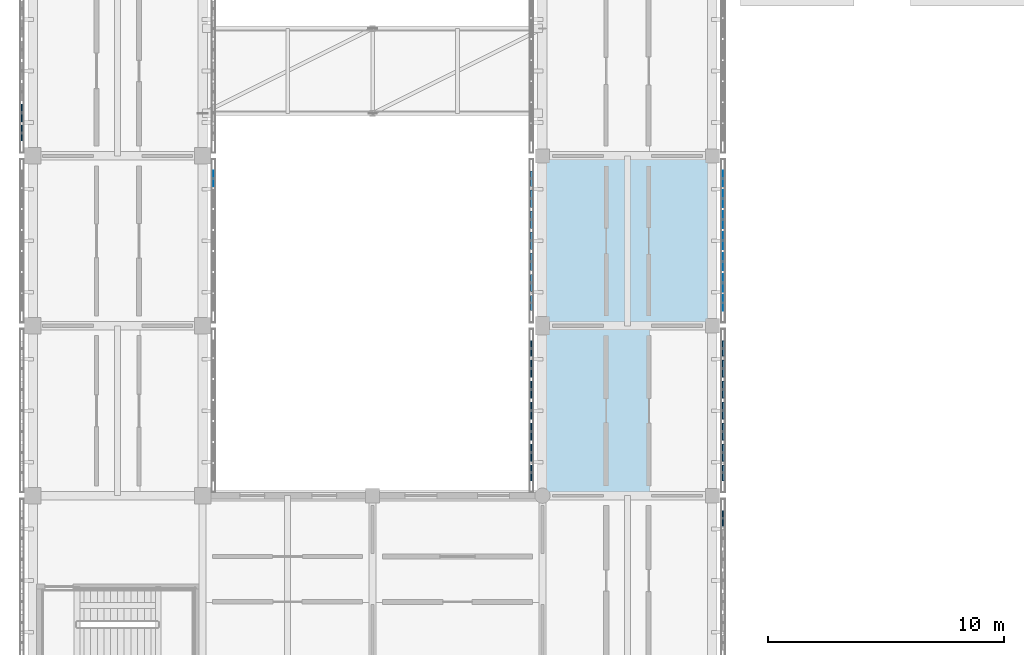
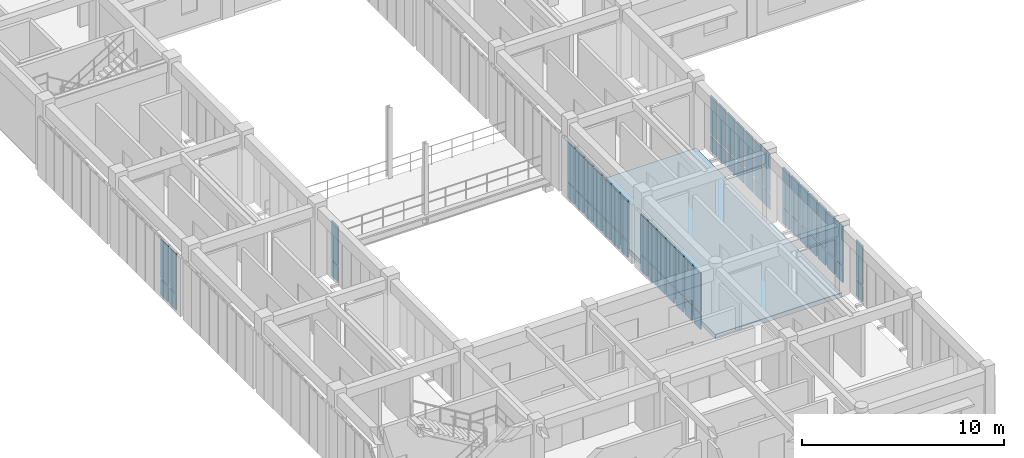
# One storey, part 98 of 171: 64 plates, 1 slab, 7 elements without a shape of their own.
"""IFC4 building model written with IfcOpenShell, lengths in metres."""

from ifc_helpers import new_model, si_unit, direction, frame, origin, origin_2d, place, context, subcontext, project, spatial, polyline, rectangle, outline, extrude, material, layer, layer_set, type_object, element, aggregate, save


model = new_model("IFC4")

# Units and contexts
model_context = context("Model", 3, precision=1e-05, world=origin(), true_north=direction((0.0, 1.0)))
body_context = subcontext(model_context, "Body", "Model", "MODEL_VIEW")
ifc_project = project(units=[si_unit("LENGTHUNIT", "METRE"), si_unit("AREAUNIT", "SQUARE_METRE"), si_unit("VOLUMEUNIT", "CUBIC_METRE"), si_unit("PLANEANGLEUNIT", "RADIAN"), si_unit("MASSUNIT", "GRAM", prefix="KILO")], contexts=[model_context])

# Site, building, storey
site_placement = place(None, origin())
site = spatial("IfcSite", under=ifc_project, at=site_placement, CompositionType="ELEMENT")
building_placement = place(site_placement, origin())
building = spatial("IfcBuilding", under=site, at=building_placement, Name="Aldebral Square Health Centre", CompositionType="ELEMENT")
storey_placement = place(building_placement, frame((0.0, 0.0, 4.5)))
storey = spatial("IfcBuildingStorey", under=building, at=storey_placement, Name="L01", CompositionType="ELEMENT", Elevation=4.5)

# Curtain wall, plates
ifc_material_1 = material(Name="Aluminium and low-E solar glass", Category="aluminium")
curtain_wall_type = type_object("IfcCurtainWallType", Name="CW-FIN-SYS", PredefinedType="USERDEFINED", material=ifc_material_1)
curtain_wall_1_placement = place(storey_placement, origin())
curtain_wall_1 = element("IfcCurtainWall", 1, at=curtain_wall_1_placement, inside=storey, type_object=curtain_wall_type, Name="L01 V4 finned curtain wall L01-V4-03-10-E", ObjectType="SOLAR_CURTAIN_WALL", PredefinedType="USERDEFINED")
ifc_material_2 = material(Name="Solar-control low-E double glass", Category="glass")
ifc_layer_1 = layer(ifc_material_2, 0.02001953125, Name="Solar-control low-E double glass", Category="glass")
ifc_layer_set_1 = layer_set([ifc_layer_1], Name="Solar-control low-E double glass")
plate_type_1 = type_object("IfcPlateType", Name="CWP-GLZ-1", PredefinedType="CURTAIN_PANEL", material=ifc_layer_set_1)
plate_1_placement = place(storey_placement, frame((29.260009765625, 72.9658203125, 0.074951171875), z_axis=(0.0, 0.0, 1.0), x_axis=(0.0, 1.0, 0.0)))
plate_1 = element("IfcPlate", 2, at=plate_1_placement, type_object=plate_type_1, Name="CW1 panel 1.1", PredefinedType="CURTAIN_PANEL", context=body_context, shape_type="SweptSolid", body=[
    extrude(rectangle(XDim=0.6513671875, YDim=0.02001953125, at=origin_2d()), origin(), (0.0, 0.0, 1.0), 0.9375),
])
plate_2_placement = place(storey_placement, frame((29.260009765625, 72.9658203125, 1.087646484375), z_axis=(0.0, 0.0, 1.0), x_axis=(0.0, 1.0, 0.0)))
plate_2 = element("IfcPlate", 3, at=plate_2_placement, type_object=plate_type_1, Name="CW1 panel 1.2", PredefinedType="CURTAIN_PANEL", context=body_context, shape_type="SweptSolid", body=[
    extrude(rectangle(XDim=0.6513671875, YDim=0.02001953125, at=origin_2d()), origin(), (0.0, 0.0, 1.0), 2.357421875),
])
plate_3_placement = place(storey_placement, frame((29.260009765625, 73.817138671875, 0.074951171875), z_axis=(0.0, 0.0, 1.0), x_axis=(0.0, 1.0, 0.0)))
plate_3 = element("IfcPlate", 4, at=plate_3_placement, type_object=plate_type_1, Name="CW1 panel 2.1", PredefinedType="CURTAIN_PANEL", context=body_context, shape_type="SweptSolid", body=[
    extrude(rectangle(XDim=0.7314453125, YDim=0.02001953125, at=origin_2d()), origin(), (0.0, 0.0, 1.0), 0.9375),
])
plate_4_placement = place(storey_placement, frame((29.260009765625, 73.817138671875, 1.087646484375), z_axis=(0.0, 0.0, 1.0), x_axis=(0.0, 1.0, 0.0)))
plate_4 = element("IfcPlate", 5, at=plate_4_placement, type_object=plate_type_1, Name="CW1 panel 2.2", PredefinedType="CURTAIN_PANEL", context=body_context, shape_type="SweptSolid", body=[
    extrude(rectangle(XDim=0.7314453125, YDim=0.02001953125, at=origin_2d()), origin(), (0.0, 0.0, 1.0), 2.357421875),
])
plate_5_placement = place(storey_placement, frame((29.260009765625, 74.70849609375, 0.074951171875), z_axis=(0.0, 0.0, 1.0), x_axis=(0.0, 1.0, 0.0)))
plate_5 = element("IfcPlate", 6, at=plate_5_placement, type_object=plate_type_1, Name="CW1 panel 3.1", PredefinedType="CURTAIN_PANEL", context=body_context, shape_type="SweptSolid", body=[
    extrude(rectangle(XDim=0.7314453125, YDim=0.02001953125, at=origin_2d()), origin(), (0.0, 0.0, 1.0), 0.9375),
])
plate_6_placement = place(storey_placement, frame((29.260009765625, 74.70849609375, 1.087646484375), z_axis=(0.0, 0.0, 1.0), x_axis=(0.0, 1.0, 0.0)))
plate_6 = element("IfcPlate", 7, at=plate_6_placement, type_object=plate_type_1, Name="CW1 panel 3.2", PredefinedType="CURTAIN_PANEL", context=body_context, shape_type="SweptSolid", body=[
    extrude(rectangle(XDim=0.7314453125, YDim=0.02001953125, at=origin_2d()), origin(), (0.0, 0.0, 1.0), 2.357421875),
])
plate_7_placement = place(storey_placement, frame((29.260009765625, 75.60009765625, 0.074951171875), z_axis=(0.0, 0.0, 1.0), x_axis=(0.0, 1.0, 0.0)))
plate_7 = element("IfcPlate", 8, at=plate_7_placement, type_object=plate_type_1, Name="CW1 panel 4.1", PredefinedType="CURTAIN_PANEL", context=body_context, shape_type="SweptSolid", body=[
    extrude(rectangle(XDim=0.7314453125, YDim=0.02001953125, at=origin_2d()), origin(), (0.0, 0.0, 1.0), 0.9375),
])
plate_8_placement = place(storey_placement, frame((29.260009765625, 75.60009765625, 1.087646484375), z_axis=(0.0, 0.0, 1.0), x_axis=(0.0, 1.0, 0.0)))
plate_8 = element("IfcPlate", 9, at=plate_8_placement, type_object=plate_type_1, Name="CW1 panel 4.2", PredefinedType="CURTAIN_PANEL", context=body_context, shape_type="SweptSolid", body=[
    extrude(rectangle(XDim=0.7314453125, YDim=0.02001953125, at=origin_2d()), origin(), (0.0, 0.0, 1.0), 2.357421875),
])
plate_9_placement = place(storey_placement, frame((29.260009765625, 76.491455078125, 0.074951171875), z_axis=(0.0, 0.0, 1.0), x_axis=(0.0, 1.0, 0.0)))
plate_9 = element("IfcPlate", 10, at=plate_9_placement, type_object=plate_type_1, Name="CW1 panel 5.1", PredefinedType="CURTAIN_PANEL", context=body_context, shape_type="SweptSolid", body=[
    extrude(rectangle(XDim=0.7314453125, YDim=0.02001953125, at=origin_2d()), origin(), (0.0, 0.0, 1.0), 0.9375),
])
plate_10_placement = place(storey_placement, frame((29.260009765625, 76.491455078125, 1.087646484375), z_axis=(0.0, 0.0, 1.0), x_axis=(0.0, 1.0, 0.0)))
plate_10 = element("IfcPlate", 11, at=plate_10_placement, type_object=plate_type_1, Name="CW1 panel 5.2", PredefinedType="CURTAIN_PANEL", context=body_context, shape_type="SweptSolid", body=[
    extrude(rectangle(XDim=0.7314453125, YDim=0.02001953125, at=origin_2d()), origin(), (0.0, 0.0, 1.0), 2.357421875),
])
plate_11_placement = place(storey_placement, frame((29.260009765625, 77.3828125, 0.074951171875), z_axis=(0.0, 0.0, 1.0), x_axis=(0.0, 1.0, 0.0)))
plate_11 = element("IfcPlate", 12, at=plate_11_placement, type_object=plate_type_1, Name="CW1 panel 6.1", PredefinedType="CURTAIN_PANEL", context=body_context, shape_type="SweptSolid", body=[
    extrude(rectangle(XDim=0.7314453125, YDim=0.02001953125, at=origin_2d()), origin(), (0.0, 0.0, 1.0), 0.9375),
])
plate_12_placement = place(storey_placement, frame((29.260009765625, 77.3828125, 1.087646484375), z_axis=(0.0, 0.0, 1.0), x_axis=(0.0, 1.0, 0.0)))
plate_12 = element("IfcPlate", 13, at=plate_12_placement, type_object=plate_type_1, Name="CW1 panel 6.2", PredefinedType="CURTAIN_PANEL", context=body_context, shape_type="SweptSolid", body=[
    extrude(rectangle(XDim=0.7314453125, YDim=0.02001953125, at=origin_2d()), origin(), (0.0, 0.0, 1.0), 2.357421875),
])
plate_13_placement = place(storey_placement, frame((29.260009765625, 78.234375, 0.074951171875), z_axis=(0.0, 0.0, 1.0), x_axis=(0.0, 1.0, 0.0)))
plate_13 = element("IfcPlate", 14, at=plate_13_placement, type_object=plate_type_1, Name="CW1 panel 7.1", PredefinedType="CURTAIN_PANEL", context=body_context, shape_type="SweptSolid", body=[
    extrude(rectangle(XDim=0.6513671875, YDim=0.02001953125, at=origin_2d()), origin(), (0.0, 0.0, 1.0), 0.9375),
])
plate_14_placement = place(storey_placement, frame((29.260009765625, 78.234375, 1.087646484375), z_axis=(0.0, 0.0, 1.0), x_axis=(0.0, 1.0, 0.0)))
plate_14 = element("IfcPlate", 15, at=plate_14_placement, type_object=plate_type_1, Name="CW1 panel 7.2", PredefinedType="CURTAIN_PANEL", context=body_context, shape_type="SweptSolid", body=[
    extrude(rectangle(XDim=0.6513671875, YDim=0.02001953125, at=origin_2d()), origin(), (0.0, 0.0, 1.0), 2.357421875),
])
aggregate(curtain_wall_1, [plate_1, plate_2, plate_3, plate_4, plate_5, plate_6, plate_7, plate_8, plate_9, plate_10, plate_11, plate_12, plate_13, plate_14])

curtain_wall_2_placement = place(storey_placement, origin())
curtain_wall_2 = element("IfcCurtainWall", 16, at=curtain_wall_2_placement, inside=storey, type_object=curtain_wall_type, Name="L01 V4 finned curtain wall L01-V4-00-10-E", ObjectType="SOLAR_CURTAIN_WALL", PredefinedType="USERDEFINED")
ifc_layer_2 = layer(ifc_material_2, 0.0400390625, Name="Solar-control low-E double glass", Category="glass")
ifc_layer_set_2 = layer_set([ifc_layer_2], Name="Solar-control low-E double glass")
plate_type_2 = type_object("IfcPlateType", Name="CWP-GLZ-3", PredefinedType="CURTAIN_PANEL", material=ifc_layer_set_2)
plate_15_placement = place(storey_placement, frame((7.659912109375, 78.234375, 0.074951171875), z_axis=(0.0, 0.0, 1.0), x_axis=(0.0, 1.0, 0.0)))
plate_15 = element("IfcPlate", 17, at=plate_15_placement, type_object=plate_type_2, Name="CW1 panel 7.1", PredefinedType="CURTAIN_PANEL", context=body_context, shape_type="SweptSolid", body=[
    extrude(rectangle(XDim=0.6513671875, YDim=0.0400390625, at=origin_2d()), origin(), (0.0, 0.0, 1.0), 0.9375),
])
plate_16_placement = place(storey_placement, frame((7.659912109375, 78.234375, 1.087646484375), z_axis=(0.0, 0.0, 1.0), x_axis=(0.0, 1.0, 0.0)))
plate_16 = element("IfcPlate", 18, at=plate_16_placement, type_object=plate_type_2, Name="CW1 panel 7.2", PredefinedType="CURTAIN_PANEL", context=body_context, shape_type="SweptSolid", body=[
    extrude(rectangle(XDim=0.6513671875, YDim=0.0400390625, at=origin_2d()), origin(), (0.0, 0.0, 1.0), 2.357421875),
])
aggregate(curtain_wall_2, [plate_15, plate_16])

curtain_wall_3_placement = place(storey_placement, origin())
curtain_wall_3 = element("IfcCurtainWall", 19, at=curtain_wall_3_placement, inside=storey, type_object=curtain_wall_type, Name="L01 V4 finned curtain wall L01-V4-00-11-W", ObjectType="SOLAR_CURTAIN_WALL", PredefinedType="USERDEFINED")
ifc_layer_3 = layer(ifc_material_2, 0.050048828125, Name="Solar-control low-E double glass", Category="glass")
ifc_layer_set_3 = layer_set([ifc_layer_3], Name="Solar-control low-E double glass")
plate_type_3 = type_object("IfcPlateType", Name="CWP-GLZ-4", PredefinedType="CURTAIN_PANEL", material=ifc_layer_set_3)
plate_17_placement = place(storey_placement, frame((-0.4599609375, 81.01708984375, 0.074951171875), z_axis=(0.0, 0.0, 1.0), x_axis=(0.0, -1.0, 0.0)))
plate_17 = element("IfcPlate", 20, at=plate_17_placement, type_object=plate_type_3, Name="CW1 panel 6.1", PredefinedType="CURTAIN_PANEL", context=body_context, shape_type="SweptSolid", body=[
    extrude(rectangle(XDim=0.7314453125, YDim=0.050048828125, at=origin_2d()), origin(), (0.0, 0.0, 1.0), 0.9375),
])
plate_18_placement = place(storey_placement, frame((-0.4599609375, 81.01708984375, 1.087646484375), z_axis=(0.0, 0.0, 1.0), x_axis=(0.0, -1.0, 0.0)))
plate_18 = element("IfcPlate", 21, at=plate_18_placement, type_object=plate_type_3, Name="CW1 panel 6.2", PredefinedType="CURTAIN_PANEL", context=body_context, shape_type="SweptSolid", body=[
    extrude(rectangle(XDim=0.7314453125, YDim=0.050048828125, at=origin_2d()), origin(), (0.0, 0.0, 1.0), 2.357421875),
])
plate_19_placement = place(storey_placement, frame((-0.4599609375, 80.165771484375, 0.074951171875), z_axis=(0.0, 0.0, 1.0), x_axis=(0.0, -1.0, 0.0)))
plate_19 = element("IfcPlate", 22, at=plate_19_placement, type_object=plate_type_3, Name="CW1 panel 7.1", PredefinedType="CURTAIN_PANEL", context=body_context, shape_type="SweptSolid", body=[
    extrude(rectangle(XDim=0.6513671875, YDim=0.050048828125, at=origin_2d()), origin(), (0.0, 0.0, 1.0), 0.9375),
])
plate_20_placement = place(storey_placement, frame((-0.4599609375, 80.165771484375, 1.087646484375), z_axis=(0.0, 0.0, 1.0), x_axis=(0.0, -1.0, 0.0)))
plate_20 = element("IfcPlate", 23, at=plate_20_placement, type_object=plate_type_3, Name="CW1 panel 7.2", PredefinedType="CURTAIN_PANEL", context=body_context, shape_type="SweptSolid", body=[
    extrude(rectangle(XDim=0.6513671875, YDim=0.050048828125, at=origin_2d()), origin(), (0.0, 0.0, 1.0), 2.357421875),
])
aggregate(curtain_wall_3, [plate_17, plate_18, plate_19, plate_20])

curtain_wall_4_placement = place(storey_placement, origin())
curtain_wall_4 = element("IfcCurtainWall", 24, at=curtain_wall_4_placement, inside=storey, type_object=curtain_wall_type, Name="L01 V4 finned curtain wall L01-V4-03-08-E", ObjectType="SOLAR_CURTAIN_WALL", PredefinedType="USERDEFINED")
ifc_layer_4 = layer(ifc_material_2, 0.06005859375, Name="Solar-control low-E double glass", Category="glass")
ifc_layer_set_4 = layer_set([ifc_layer_4], Name="Solar-control low-E double glass")
plate_type_4 = type_object("IfcPlateType", Name="CWP-GLZ-5", PredefinedType="CURTAIN_PANEL", material=ifc_layer_set_4)
plate_21_placement = place(storey_placement, frame((29.260009765625, 63.834228515625, 0.074951171875), z_axis=(0.0, 0.0, 1.0), x_axis=(0.0, 1.0, 0.0)))
plate_21 = element("IfcPlate", 25, at=plate_21_placement, type_object=plate_type_4, Name="CW1 panel 7.1", PredefinedType="CURTAIN_PANEL", context=body_context, shape_type="SweptSolid", body=[
    extrude(rectangle(XDim=0.6513671875, YDim=0.06005859375, at=origin_2d()), origin(), (0.0, 0.0, 1.0), 0.9375),
])
plate_22_placement = place(storey_placement, frame((29.260009765625, 63.834228515625, 1.087646484375), z_axis=(0.0, 0.0, 1.0), x_axis=(0.0, 1.0, 0.0)))
plate_22 = element("IfcPlate", 26, at=plate_22_placement, type_object=plate_type_4, Name="CW1 panel 7.2", PredefinedType="CURTAIN_PANEL", context=body_context, shape_type="SweptSolid", body=[
    extrude(rectangle(XDim=0.6513671875, YDim=0.06005859375, at=origin_2d()), origin(), (0.0, 0.0, 1.0), 2.357421875),
])
aggregate(curtain_wall_4, [plate_21, plate_22])

curtain_wall_5_placement = place(storey_placement, origin())
curtain_wall_5 = element("IfcCurtainWall", 27, at=curtain_wall_5_placement, inside=storey, type_object=curtain_wall_type, Name="L01 V4 finned curtain wall L01-V4-03-09-W", ObjectType="SOLAR_CURTAIN_WALL", PredefinedType="USERDEFINED")
ifc_layer_5 = layer(ifc_material_2, 0.070068359375, Name="Solar-control low-E double glass", Category="glass")
ifc_layer_set_5 = layer_set([ifc_layer_5], Name="Solar-control low-E double glass")
plate_type_5 = type_object("IfcPlateType", Name="CWP-GLZ-6", PredefinedType="CURTAIN_PANEL", material=ifc_layer_set_5)
plate_23_placement = place(storey_placement, frame((21.139892578125, 71.0341796875, 0.074951171875), z_axis=(0.0, 0.0, 1.0), x_axis=(0.0, -1.0, 0.0)))
plate_23 = element("IfcPlate", 28, at=plate_23_placement, type_object=plate_type_5, Name="CW1 panel 1.1", PredefinedType="CURTAIN_PANEL", context=body_context, shape_type="SweptSolid", body=[
    extrude(rectangle(XDim=0.6513671875, YDim=0.070068359375, at=origin_2d()), origin(), (0.0, 0.0, 1.0), 0.9375),
])
plate_24_placement = place(storey_placement, frame((21.139892578125, 71.0341796875, 1.087646484375), z_axis=(0.0, 0.0, 1.0), x_axis=(0.0, -1.0, 0.0)))
plate_24 = element("IfcPlate", 29, at=plate_24_placement, type_object=plate_type_5, Name="CW1 panel 1.2", PredefinedType="CURTAIN_PANEL", context=body_context, shape_type="SweptSolid", body=[
    extrude(rectangle(XDim=0.6513671875, YDim=0.070068359375, at=origin_2d()), origin(), (0.0, 0.0, 1.0), 2.357421875),
])
plate_25_placement = place(storey_placement, frame((21.139892578125, 70.182861328125, 0.074951171875), z_axis=(0.0, 0.0, 1.0), x_axis=(0.0, -1.0, 0.0)))
plate_25 = element("IfcPlate", 30, at=plate_25_placement, type_object=plate_type_5, Name="CW1 panel 2.1", PredefinedType="CURTAIN_PANEL", context=body_context, shape_type="SweptSolid", body=[
    extrude(rectangle(XDim=0.7314453125, YDim=0.070068359375, at=origin_2d()), origin(), (0.0, 0.0, 1.0), 0.9375),
])
plate_26_placement = place(storey_placement, frame((21.139892578125, 70.182861328125, 1.087646484375), z_axis=(0.0, 0.0, 1.0), x_axis=(0.0, -1.0, 0.0)))
plate_26 = element("IfcPlate", 31, at=plate_26_placement, type_object=plate_type_5, Name="CW1 panel 2.2", PredefinedType="CURTAIN_PANEL", context=body_context, shape_type="SweptSolid", body=[
    extrude(rectangle(XDim=0.7314453125, YDim=0.070068359375, at=origin_2d()), origin(), (0.0, 0.0, 1.0), 2.357421875),
])
plate_27_placement = place(storey_placement, frame((21.139892578125, 69.29150390625, 0.074951171875), z_axis=(0.0, 0.0, 1.0), x_axis=(0.0, -1.0, 0.0)))
plate_27 = element("IfcPlate", 32, at=plate_27_placement, type_object=plate_type_5, Name="CW1 panel 3.1", PredefinedType="CURTAIN_PANEL", context=body_context, shape_type="SweptSolid", body=[
    extrude(rectangle(XDim=0.7314453125, YDim=0.070068359375, at=origin_2d()), origin(), (0.0, 0.0, 1.0), 0.9375),
])
plate_28_placement = place(storey_placement, frame((21.139892578125, 69.29150390625, 1.087646484375), z_axis=(0.0, 0.0, 1.0), x_axis=(0.0, -1.0, 0.0)))
plate_28 = element("IfcPlate", 33, at=plate_28_placement, type_object=plate_type_5, Name="CW1 panel 3.2", PredefinedType="CURTAIN_PANEL", context=body_context, shape_type="SweptSolid", body=[
    extrude(rectangle(XDim=0.7314453125, YDim=0.070068359375, at=origin_2d()), origin(), (0.0, 0.0, 1.0), 2.357421875),
])
plate_29_placement = place(storey_placement, frame((21.139892578125, 68.39990234375, 0.074951171875), z_axis=(0.0, 0.0, 1.0), x_axis=(0.0, -1.0, 0.0)))
plate_29 = element("IfcPlate", 34, at=plate_29_placement, type_object=plate_type_5, Name="CW1 panel 4.1", PredefinedType="CURTAIN_PANEL", context=body_context, shape_type="SweptSolid", body=[
    extrude(rectangle(XDim=0.7314453125, YDim=0.070068359375, at=origin_2d()), origin(), (0.0, 0.0, 1.0), 0.9375),
])
plate_30_placement = place(storey_placement, frame((21.139892578125, 68.39990234375, 1.087646484375), z_axis=(0.0, 0.0, 1.0), x_axis=(0.0, -1.0, 0.0)))
plate_30 = element("IfcPlate", 35, at=plate_30_placement, type_object=plate_type_5, Name="CW1 panel 4.2", PredefinedType="CURTAIN_PANEL", context=body_context, shape_type="SweptSolid", body=[
    extrude(rectangle(XDim=0.7314453125, YDim=0.070068359375, at=origin_2d()), origin(), (0.0, 0.0, 1.0), 2.357421875),
])
plate_31_placement = place(storey_placement, frame((21.139892578125, 67.508544921875, 0.074951171875), z_axis=(0.0, 0.0, 1.0), x_axis=(0.0, -1.0, 0.0)))
plate_31 = element("IfcPlate", 36, at=plate_31_placement, type_object=plate_type_5, Name="CW1 panel 5.1", PredefinedType="CURTAIN_PANEL", context=body_context, shape_type="SweptSolid", body=[
    extrude(rectangle(XDim=0.7314453125, YDim=0.070068359375, at=origin_2d()), origin(), (0.0, 0.0, 1.0), 0.9375),
])
plate_32_placement = place(storey_placement, frame((21.139892578125, 67.508544921875, 1.087646484375), z_axis=(0.0, 0.0, 1.0), x_axis=(0.0, -1.0, 0.0)))
plate_32 = element("IfcPlate", 37, at=plate_32_placement, type_object=plate_type_5, Name="CW1 panel 5.2", PredefinedType="CURTAIN_PANEL", context=body_context, shape_type="SweptSolid", body=[
    extrude(rectangle(XDim=0.7314453125, YDim=0.070068359375, at=origin_2d()), origin(), (0.0, 0.0, 1.0), 2.357421875),
])
plate_33_placement = place(storey_placement, frame((21.139892578125, 66.6171875, 0.074951171875), z_axis=(0.0, 0.0, 1.0), x_axis=(0.0, -1.0, 0.0)))
plate_33 = element("IfcPlate", 38, at=plate_33_placement, type_object=plate_type_5, Name="CW1 panel 6.1", PredefinedType="CURTAIN_PANEL", context=body_context, shape_type="SweptSolid", body=[
    extrude(rectangle(XDim=0.7314453125, YDim=0.070068359375, at=origin_2d()), origin(), (0.0, 0.0, 1.0), 0.9375),
])
plate_34_placement = place(storey_placement, frame((21.139892578125, 66.6171875, 1.087646484375), z_axis=(0.0, 0.0, 1.0), x_axis=(0.0, -1.0, 0.0)))
plate_34 = element("IfcPlate", 39, at=plate_34_placement, type_object=plate_type_5, Name="CW1 panel 6.2", PredefinedType="CURTAIN_PANEL", context=body_context, shape_type="SweptSolid", body=[
    extrude(rectangle(XDim=0.7314453125, YDim=0.070068359375, at=origin_2d()), origin(), (0.0, 0.0, 1.0), 2.357421875),
])
plate_35_placement = place(storey_placement, frame((21.139892578125, 65.765625, 0.074951171875), z_axis=(0.0, 0.0, 1.0), x_axis=(0.0, -1.0, 0.0)))
plate_35 = element("IfcPlate", 40, at=plate_35_placement, type_object=plate_type_5, Name="CW1 panel 7.1", PredefinedType="CURTAIN_PANEL", context=body_context, shape_type="SweptSolid", body=[
    extrude(rectangle(XDim=0.6513671875, YDim=0.070068359375, at=origin_2d()), origin(), (0.0, 0.0, 1.0), 0.9375),
])
plate_36_placement = place(storey_placement, frame((21.139892578125, 65.765625, 1.087646484375), z_axis=(0.0, 0.0, 1.0), x_axis=(0.0, -1.0, 0.0)))
plate_36 = element("IfcPlate", 41, at=plate_36_placement, type_object=plate_type_5, Name="CW1 panel 7.2", PredefinedType="CURTAIN_PANEL", context=body_context, shape_type="SweptSolid", body=[
    extrude(rectangle(XDim=0.6513671875, YDim=0.070068359375, at=origin_2d()), origin(), (0.0, 0.0, 1.0), 2.357421875),
])
aggregate(curtain_wall_5, [plate_23, plate_24, plate_25, plate_26, plate_27, plate_28, plate_29, plate_30, plate_31, plate_32, plate_33, plate_34, plate_35, plate_36])

curtain_wall_6_placement = place(storey_placement, origin())
curtain_wall_6 = element("IfcCurtainWall", 42, at=curtain_wall_6_placement, inside=storey, type_object=curtain_wall_type, Name="L01 V4 finned curtain wall L01-V4-03-09-E", ObjectType="SOLAR_CURTAIN_WALL", PredefinedType="USERDEFINED")
ifc_layer_6 = layer(ifc_material_2, 0.080078125, Name="Solar-control low-E double glass", Category="glass")
ifc_layer_set_6 = layer_set([ifc_layer_6], Name="Solar-control low-E double glass")
plate_type_6 = type_object("IfcPlateType", Name="CWP-GLZ-7", PredefinedType="CURTAIN_PANEL", material=ifc_layer_set_6)
plate_37_placement = place(storey_placement, frame((29.260009765625, 65.765625, 0.074951171875), z_axis=(0.0, 0.0, 1.0), x_axis=(0.0, 1.0, 0.0)))
plate_37 = element("IfcPlate", 43, at=plate_37_placement, type_object=plate_type_6, Name="CW1 panel 1.1", PredefinedType="CURTAIN_PANEL", context=body_context, shape_type="SweptSolid", body=[
    extrude(rectangle(XDim=0.6513671875, YDim=0.080078125, at=origin_2d()), origin(), (0.0, 0.0, 1.0), 0.9375),
])
plate_38_placement = place(storey_placement, frame((29.260009765625, 65.765625, 1.087646484375), z_axis=(0.0, 0.0, 1.0), x_axis=(0.0, 1.0, 0.0)))
plate_38 = element("IfcPlate", 44, at=plate_38_placement, type_object=plate_type_6, Name="CW1 panel 1.2", PredefinedType="CURTAIN_PANEL", context=body_context, shape_type="SweptSolid", body=[
    extrude(rectangle(XDim=0.6513671875, YDim=0.080078125, at=origin_2d()), origin(), (0.0, 0.0, 1.0), 2.357421875),
])
plate_39_placement = place(storey_placement, frame((29.260009765625, 66.6171875, 0.074951171875), z_axis=(0.0, 0.0, 1.0), x_axis=(0.0, 1.0, 0.0)))
plate_39 = element("IfcPlate", 45, at=plate_39_placement, type_object=plate_type_6, Name="CW1 panel 2.1", PredefinedType="CURTAIN_PANEL", context=body_context, shape_type="SweptSolid", body=[
    extrude(rectangle(XDim=0.7314453125, YDim=0.080078125, at=origin_2d()), origin(), (0.0, 0.0, 1.0), 0.9375),
])
plate_40_placement = place(storey_placement, frame((29.260009765625, 66.6171875, 1.087646484375), z_axis=(0.0, 0.0, 1.0), x_axis=(0.0, 1.0, 0.0)))
plate_40 = element("IfcPlate", 46, at=plate_40_placement, type_object=plate_type_6, Name="CW1 panel 2.2", PredefinedType="CURTAIN_PANEL", context=body_context, shape_type="SweptSolid", body=[
    extrude(rectangle(XDim=0.7314453125, YDim=0.080078125, at=origin_2d()), origin(), (0.0, 0.0, 1.0), 2.357421875),
])
plate_41_placement = place(storey_placement, frame((29.260009765625, 67.508544921875, 0.074951171875), z_axis=(0.0, 0.0, 1.0), x_axis=(0.0, 1.0, 0.0)))
plate_41 = element("IfcPlate", 47, at=plate_41_placement, type_object=plate_type_6, Name="CW1 panel 3.1", PredefinedType="CURTAIN_PANEL", context=body_context, shape_type="SweptSolid", body=[
    extrude(rectangle(XDim=0.7314453125, YDim=0.080078125, at=origin_2d()), origin(), (0.0, 0.0, 1.0), 0.9375),
])
plate_42_placement = place(storey_placement, frame((29.260009765625, 67.508544921875, 1.087646484375), z_axis=(0.0, 0.0, 1.0), x_axis=(0.0, 1.0, 0.0)))
plate_42 = element("IfcPlate", 48, at=plate_42_placement, type_object=plate_type_6, Name="CW1 panel 3.2", PredefinedType="CURTAIN_PANEL", context=body_context, shape_type="SweptSolid", body=[
    extrude(rectangle(XDim=0.7314453125, YDim=0.080078125, at=origin_2d()), origin(), (0.0, 0.0, 1.0), 2.357421875),
])
plate_43_placement = place(storey_placement, frame((29.260009765625, 68.39990234375, 0.074951171875), z_axis=(0.0, 0.0, 1.0), x_axis=(0.0, 1.0, 0.0)))
plate_43 = element("IfcPlate", 49, at=plate_43_placement, type_object=plate_type_6, Name="CW1 panel 4.1", PredefinedType="CURTAIN_PANEL", context=body_context, shape_type="SweptSolid", body=[
    extrude(rectangle(XDim=0.7314453125, YDim=0.080078125, at=origin_2d()), origin(), (0.0, 0.0, 1.0), 0.9375),
])
plate_44_placement = place(storey_placement, frame((29.260009765625, 68.39990234375, 1.087646484375), z_axis=(0.0, 0.0, 1.0), x_axis=(0.0, 1.0, 0.0)))
plate_44 = element("IfcPlate", 50, at=plate_44_placement, type_object=plate_type_6, Name="CW1 panel 4.2", PredefinedType="CURTAIN_PANEL", context=body_context, shape_type="SweptSolid", body=[
    extrude(rectangle(XDim=0.7314453125, YDim=0.080078125, at=origin_2d()), origin(), (0.0, 0.0, 1.0), 2.357421875),
])
plate_45_placement = place(storey_placement, frame((29.260009765625, 69.29150390625, 0.074951171875), z_axis=(0.0, 0.0, 1.0), x_axis=(0.0, 1.0, 0.0)))
plate_45 = element("IfcPlate", 51, at=plate_45_placement, type_object=plate_type_6, Name="CW1 panel 5.1", PredefinedType="CURTAIN_PANEL", context=body_context, shape_type="SweptSolid", body=[
    extrude(rectangle(XDim=0.7314453125, YDim=0.080078125, at=origin_2d()), origin(), (0.0, 0.0, 1.0), 0.9375),
])
plate_46_placement = place(storey_placement, frame((29.260009765625, 69.29150390625, 1.087646484375), z_axis=(0.0, 0.0, 1.0), x_axis=(0.0, 1.0, 0.0)))
plate_46 = element("IfcPlate", 52, at=plate_46_placement, type_object=plate_type_6, Name="CW1 panel 5.2", PredefinedType="CURTAIN_PANEL", context=body_context, shape_type="SweptSolid", body=[
    extrude(rectangle(XDim=0.7314453125, YDim=0.080078125, at=origin_2d()), origin(), (0.0, 0.0, 1.0), 2.357421875),
])
plate_47_placement = place(storey_placement, frame((29.260009765625, 70.182861328125, 0.074951171875), z_axis=(0.0, 0.0, 1.0), x_axis=(0.0, 1.0, 0.0)))
plate_47 = element("IfcPlate", 53, at=plate_47_placement, type_object=plate_type_6, Name="CW1 panel 6.1", PredefinedType="CURTAIN_PANEL", context=body_context, shape_type="SweptSolid", body=[
    extrude(rectangle(XDim=0.7314453125, YDim=0.080078125, at=origin_2d()), origin(), (0.0, 0.0, 1.0), 0.9375),
])
plate_48_placement = place(storey_placement, frame((29.260009765625, 70.182861328125, 1.087646484375), z_axis=(0.0, 0.0, 1.0), x_axis=(0.0, 1.0, 0.0)))
plate_48 = element("IfcPlate", 54, at=plate_48_placement, type_object=plate_type_6, Name="CW1 panel 6.2", PredefinedType="CURTAIN_PANEL", context=body_context, shape_type="SweptSolid", body=[
    extrude(rectangle(XDim=0.7314453125, YDim=0.080078125, at=origin_2d()), origin(), (0.0, 0.0, 1.0), 2.357421875),
])
plate_49_placement = place(storey_placement, frame((29.260009765625, 71.0341796875, 0.074951171875), z_axis=(0.0, 0.0, 1.0), x_axis=(0.0, 1.0, 0.0)))
plate_49 = element("IfcPlate", 55, at=plate_49_placement, type_object=plate_type_6, Name="CW1 panel 7.1", PredefinedType="CURTAIN_PANEL", context=body_context, shape_type="SweptSolid", body=[
    extrude(rectangle(XDim=0.6513671875, YDim=0.080078125, at=origin_2d()), origin(), (0.0, 0.0, 1.0), 0.9375),
])
plate_50_placement = place(storey_placement, frame((29.260009765625, 71.0341796875, 1.087646484375), z_axis=(0.0, 0.0, 1.0), x_axis=(0.0, 1.0, 0.0)))
plate_50 = element("IfcPlate", 56, at=plate_50_placement, type_object=plate_type_6, Name="CW1 panel 7.2", PredefinedType="CURTAIN_PANEL", context=body_context, shape_type="SweptSolid", body=[
    extrude(rectangle(XDim=0.6513671875, YDim=0.080078125, at=origin_2d()), origin(), (0.0, 0.0, 1.0), 2.357421875),
])
aggregate(curtain_wall_6, [plate_37, plate_38, plate_39, plate_40, plate_41, plate_42, plate_43, plate_44, plate_45, plate_46, plate_47, plate_48, plate_49, plate_50])

curtain_wall_7_placement = place(storey_placement, origin())
curtain_wall_7 = element("IfcCurtainWall", 57, at=curtain_wall_7_placement, inside=storey, type_object=curtain_wall_type, Name="L01 V4 finned curtain wall L01-V4-03-10-W", ObjectType="SOLAR_CURTAIN_WALL", PredefinedType="USERDEFINED")
ifc_layer_7 = layer(ifc_material_2, 0.090087890625, Name="Solar-control low-E double glass", Category="glass")
ifc_layer_set_7 = layer_set([ifc_layer_7], Name="Solar-control low-E double glass")
plate_type_7 = type_object("IfcPlateType", Name="CWP-GLZ-8", PredefinedType="CURTAIN_PANEL", material=ifc_layer_set_7)
plate_51_placement = place(storey_placement, frame((21.139892578125, 78.234375, 0.074951171875), z_axis=(0.0, 0.0, 1.0), x_axis=(0.0, -1.0, 0.0)))
plate_51 = element("IfcPlate", 58, at=plate_51_placement, type_object=plate_type_7, Name="CW1 panel 1.1", PredefinedType="CURTAIN_PANEL", context=body_context, shape_type="SweptSolid", body=[
    extrude(rectangle(XDim=0.6513671875, YDim=0.090087890625, at=origin_2d()), origin(), (0.0, 0.0, 1.0), 0.9375),
])
plate_52_placement = place(storey_placement, frame((21.139892578125, 78.234375, 1.087646484375), z_axis=(0.0, 0.0, 1.0), x_axis=(0.0, -1.0, 0.0)))
plate_52 = element("IfcPlate", 59, at=plate_52_placement, type_object=plate_type_7, Name="CW1 panel 1.2", PredefinedType="CURTAIN_PANEL", context=body_context, shape_type="SweptSolid", body=[
    extrude(rectangle(XDim=0.6513671875, YDim=0.090087890625, at=origin_2d()), origin(), (0.0, 0.0, 1.0), 2.357421875),
])
plate_53_placement = place(storey_placement, frame((21.139892578125, 77.3828125, 0.074951171875), z_axis=(0.0, 0.0, 1.0), x_axis=(0.0, -1.0, 0.0)))
plate_53 = element("IfcPlate", 60, at=plate_53_placement, type_object=plate_type_7, Name="CW1 panel 2.1", PredefinedType="CURTAIN_PANEL", context=body_context, shape_type="SweptSolid", body=[
    extrude(rectangle(XDim=0.7314453125, YDim=0.090087890625, at=origin_2d()), origin(), (0.0, 0.0, 1.0), 0.9375),
])
plate_54_placement = place(storey_placement, frame((21.139892578125, 77.3828125, 1.087646484375), z_axis=(0.0, 0.0, 1.0), x_axis=(0.0, -1.0, 0.0)))
plate_54 = element("IfcPlate", 61, at=plate_54_placement, type_object=plate_type_7, Name="CW1 panel 2.2", PredefinedType="CURTAIN_PANEL", context=body_context, shape_type="SweptSolid", body=[
    extrude(rectangle(XDim=0.7314453125, YDim=0.090087890625, at=origin_2d()), origin(), (0.0, 0.0, 1.0), 2.357421875),
])
plate_55_placement = place(storey_placement, frame((21.139892578125, 76.491455078125, 0.074951171875), z_axis=(0.0, 0.0, 1.0), x_axis=(0.0, -1.0, 0.0)))
plate_55 = element("IfcPlate", 62, at=plate_55_placement, type_object=plate_type_7, Name="CW1 panel 3.1", PredefinedType="CURTAIN_PANEL", context=body_context, shape_type="SweptSolid", body=[
    extrude(rectangle(XDim=0.7314453125, YDim=0.090087890625, at=origin_2d()), origin(), (0.0, 0.0, 1.0), 0.9375),
])
plate_56_placement = place(storey_placement, frame((21.139892578125, 76.491455078125, 1.087646484375), z_axis=(0.0, 0.0, 1.0), x_axis=(0.0, -1.0, 0.0)))
plate_56 = element("IfcPlate", 63, at=plate_56_placement, type_object=plate_type_7, Name="CW1 panel 3.2", PredefinedType="CURTAIN_PANEL", context=body_context, shape_type="SweptSolid", body=[
    extrude(rectangle(XDim=0.7314453125, YDim=0.090087890625, at=origin_2d()), origin(), (0.0, 0.0, 1.0), 2.357421875),
])
plate_57_placement = place(storey_placement, frame((21.139892578125, 75.60009765625, 0.074951171875), z_axis=(0.0, 0.0, 1.0), x_axis=(0.0, -1.0, 0.0)))
plate_57 = element("IfcPlate", 64, at=plate_57_placement, type_object=plate_type_7, Name="CW1 panel 4.1", PredefinedType="CURTAIN_PANEL", context=body_context, shape_type="SweptSolid", body=[
    extrude(rectangle(XDim=0.7314453125, YDim=0.090087890625, at=origin_2d()), origin(), (0.0, 0.0, 1.0), 0.9375),
])
plate_58_placement = place(storey_placement, frame((21.139892578125, 75.60009765625, 1.087646484375), z_axis=(0.0, 0.0, 1.0), x_axis=(0.0, -1.0, 0.0)))
plate_58 = element("IfcPlate", 65, at=plate_58_placement, type_object=plate_type_7, Name="CW1 panel 4.2", PredefinedType="CURTAIN_PANEL", context=body_context, shape_type="SweptSolid", body=[
    extrude(rectangle(XDim=0.7314453125, YDim=0.090087890625, at=origin_2d()), origin(), (0.0, 0.0, 1.0), 2.357421875),
])
plate_59_placement = place(storey_placement, frame((21.139892578125, 74.70849609375, 0.074951171875), z_axis=(0.0, 0.0, 1.0), x_axis=(0.0, -1.0, 0.0)))
plate_59 = element("IfcPlate", 66, at=plate_59_placement, type_object=plate_type_7, Name="CW1 panel 5.1", PredefinedType="CURTAIN_PANEL", context=body_context, shape_type="SweptSolid", body=[
    extrude(rectangle(XDim=0.7314453125, YDim=0.090087890625, at=origin_2d()), origin(), (0.0, 0.0, 1.0), 0.9375),
])
plate_60_placement = place(storey_placement, frame((21.139892578125, 74.70849609375, 1.087646484375), z_axis=(0.0, 0.0, 1.0), x_axis=(0.0, -1.0, 0.0)))
plate_60 = element("IfcPlate", 67, at=plate_60_placement, type_object=plate_type_7, Name="CW1 panel 5.2", PredefinedType="CURTAIN_PANEL", context=body_context, shape_type="SweptSolid", body=[
    extrude(rectangle(XDim=0.7314453125, YDim=0.090087890625, at=origin_2d()), origin(), (0.0, 0.0, 1.0), 2.357421875),
])
plate_61_placement = place(storey_placement, frame((21.139892578125, 73.817138671875, 0.074951171875), z_axis=(0.0, 0.0, 1.0), x_axis=(0.0, -1.0, 0.0)))
plate_61 = element("IfcPlate", 68, at=plate_61_placement, type_object=plate_type_7, Name="CW1 panel 6.1", PredefinedType="CURTAIN_PANEL", context=body_context, shape_type="SweptSolid", body=[
    extrude(rectangle(XDim=0.7314453125, YDim=0.090087890625, at=origin_2d()), origin(), (0.0, 0.0, 1.0), 0.9375),
])
plate_62_placement = place(storey_placement, frame((21.139892578125, 73.817138671875, 1.087646484375), z_axis=(0.0, 0.0, 1.0), x_axis=(0.0, -1.0, 0.0)))
plate_62 = element("IfcPlate", 69, at=plate_62_placement, type_object=plate_type_7, Name="CW1 panel 6.2", PredefinedType="CURTAIN_PANEL", context=body_context, shape_type="SweptSolid", body=[
    extrude(rectangle(XDim=0.7314453125, YDim=0.090087890625, at=origin_2d()), origin(), (0.0, 0.0, 1.0), 2.357421875),
])
plate_63_placement = place(storey_placement, frame((21.139892578125, 72.9658203125, 0.074951171875), z_axis=(0.0, 0.0, 1.0), x_axis=(0.0, -1.0, 0.0)))
plate_63 = element("IfcPlate", 70, at=plate_63_placement, type_object=plate_type_7, Name="CW1 panel 7.1", PredefinedType="CURTAIN_PANEL", context=body_context, shape_type="SweptSolid", body=[
    extrude(rectangle(XDim=0.6513671875, YDim=0.090087890625, at=origin_2d()), origin(), (0.0, 0.0, 1.0), 0.9375),
])
plate_64_placement = place(storey_placement, frame((21.139892578125, 72.9658203125, 1.087646484375), z_axis=(0.0, 0.0, 1.0), x_axis=(0.0, -1.0, 0.0)))
plate_64 = element("IfcPlate", 71, at=plate_64_placement, type_object=plate_type_7, Name="CW1 panel 7.2", PredefinedType="CURTAIN_PANEL", context=body_context, shape_type="SweptSolid", body=[
    extrude(rectangle(XDim=0.6513671875, YDim=0.090087890625, at=origin_2d()), origin(), (0.0, 0.0, 1.0), 2.357421875),
])
aggregate(curtain_wall_7, [plate_51, plate_52, plate_53, plate_54, plate_55, plate_56, plate_57, plate_58, plate_59, plate_60, plate_61, plate_62, plate_63, plate_64])

# Slab
ifc_material_3 = material(Name="Concrete C35/45", Category="concrete")
ifc_layer_8 = layer(ifc_material_3, 0.27001953125, Name="Concrete C35/45", Category="concrete")
ifc_layer_set_8 = layer_set([ifc_layer_8], Name="Concrete C35/45")
slab_type = type_object("IfcSlabType", Name="SL-FLR-270", PredefinedType="FLOOR", material=ifc_layer_set_8)
slab_placement = place(storey_placement, frame((0.0, 0.0, -0.27001953125)))
element("IfcSlab", 72, at=slab_placement, inside=storey, type_object=slab_type, Name="L01 V4 floor slab 9", PredefinedType="FLOOR", context=body_context, shape_type="SweptSolid", body=[
    extrude(outline(polyline([(21.60009765625, 64.800048828125), (21.60009765625, 72.0), (21.60009765625, 79.199951171875), (28.800048828125, 79.199951171875), (28.800048828125, 72.0), (28.800048828125, 64.800048828125), (21.60009765625, 64.800048828125)])), origin(), (0.0, 0.0, 1.0), 0.27001953125),
])

save(model, "model.ifc")
